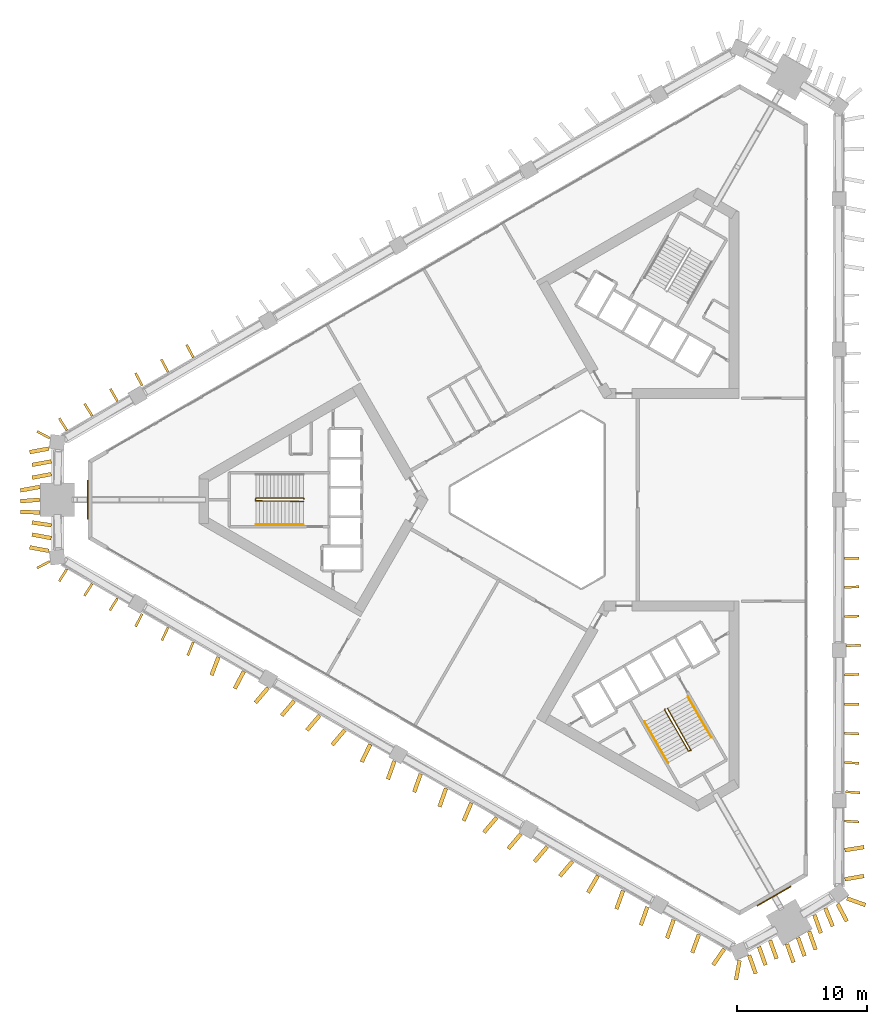
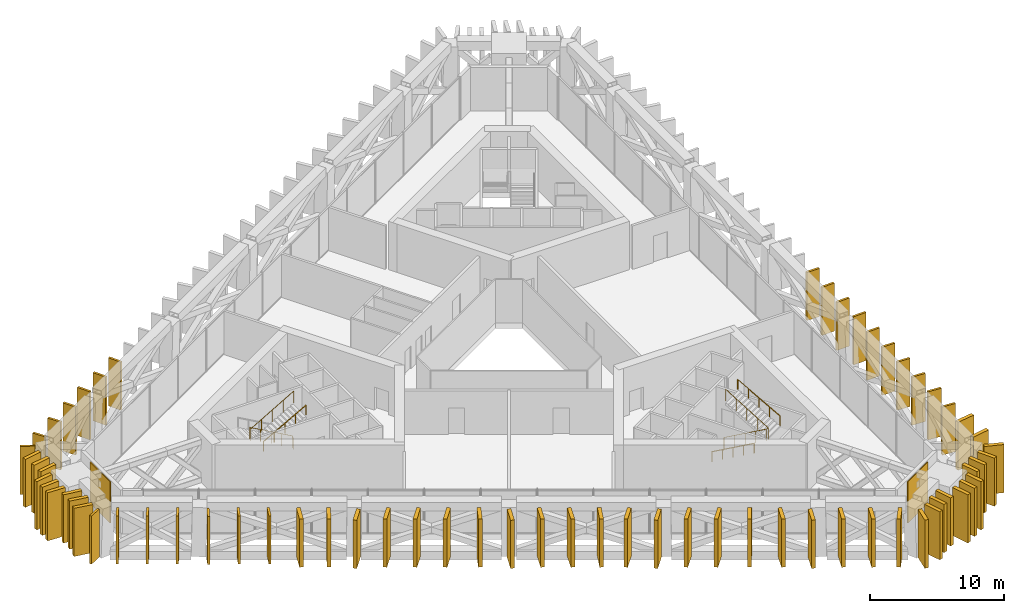
# One storey, part 16 of 17: 67 shading devices, 5 railings, 2 coverings.
"""IFC4 building model written with IfcOpenShell, lengths in metres."""

from ifc_helpers import new_model, si_unit, direction, frame, frame_2d, origin, origin_2d, place, context, subcontext, project, spatial, rectangle, circle, extrude, material, layer, layer_set, type_object, element, save


model = new_model("IFC4")

# Units and contexts
model_context = context("Model", 3, precision=1e-05, world=origin(), true_north=direction((0.0, 1.0)))
body_context = subcontext(model_context, "Body", "Model", "MODEL_VIEW")
ifc_project = project(units=[si_unit("LENGTHUNIT", "METRE"), si_unit("AREAUNIT", "SQUARE_METRE"), si_unit("VOLUMEUNIT", "CUBIC_METRE"), si_unit("PLANEANGLEUNIT", "RADIAN"), si_unit("MASSUNIT", "GRAM", prefix="KILO")], contexts=[model_context])

# Site, building, storey
site_placement = place(None, origin())
site = spatial("IfcSite", under=ifc_project, at=site_placement, CompositionType="ELEMENT")
building_placement = place(site_placement, origin())
building = spatial("IfcBuilding", under=site, at=building_placement, Name="Jabali Bay Hotel Tower and Convention Centre", CompositionType="ELEMENT")
storey_placement = place(building_placement, frame((0.0, 0.0, 102.39990234375)))
storey = spatial("IfcBuildingStorey", under=building, at=storey_placement, Name="L24", CompositionType="ELEMENT", Elevation=102.39990234375)

# Shading devices
ifc_material_1 = material(Name="Precast concrete C60", Category="concrete")
ifc_layer_1 = layer(ifc_material_1, 0.179931640625)
ifc_layer_set_1 = layer_set([ifc_layer_1], Name="Precast concrete C60")
shading_device_type_1 = type_object("IfcShadingDeviceType", Name="Precast fin 4380 x 1100", PredefinedType="USERDEFINED", material=ifc_layer_set_1)
for number, where, z_axis, x_axis, name in (
    (1, (97.9951171875, 55.324462890625, 0.010009765625), (0.0, 0.0, 1.0), (0.99723190741, -0.074354037165, 0.0), "Fin L24 002"),
    (2, (98.08447265625, 57.56787109375, 0.010009765625), (0.0, 0.0, 1.0), (0.997281062089, -0.073691812289, 0.0), "Fin L24 003"),
):
    element("IfcShadingDevice", number, at=place(storey_placement, frame(where, z_axis=z_axis, x_axis=x_axis)), inside=storey, type_object=shading_device_type_1, Name=name, ObjectType="FIN", PredefinedType="USERDEFINED", context=body_context, shape_type="SweptSolid", body=[
        extrude(rectangle(XDim=1.099853515625, YDim=0.179931640625, at=frame_2d((0.5498046875, 0.0))), origin(), (0.0, 0.0, 1.0), 4.380126953125),
    ])
for number, where, z_axis, x_axis, name in (
    (3, (97.992919921875, 59.81103515625, 0.010009765625), (0.0, 0.0, 1.0), (0.998718910442, -0.050601758129, 0.0), "Fin L24 004"),
    (4, (97.991943359375, 62.05419921875, 0.010009765625), (0.0, 0.0, 1.0), (0.999138449569, -0.041501308323, 0.0), "Fin L24 005"),
    (5, (97.98974609375, 64.29736328125, 0.010009765625), (0.0, 0.0, 1.0), (0.999875830133, -0.015758309421, 0.0), "Fin L24 006"),
):
    element("IfcShadingDevice", number, at=place(storey_placement, frame(where, z_axis=z_axis, x_axis=x_axis)), inside=storey, type_object=shading_device_type_1, Name=name, ObjectType="FIN", PredefinedType="USERDEFINED", context=body_context, shape_type="SweptSolid", body=[
        extrude(rectangle(XDim=1.10009765625, YDim=0.179931640625, at=frame_2d((0.550048828125, 0.0))), origin(), (0.0, 0.0, 1.0), 4.380126953125),
    ])
for number, where, z_axis, x_axis, name in (
    (6, (97.99169921875, 66.540771484375, 0.010009765625), (0.0, 0.0, 1.0), (0.9993044565, 0.03729079269, 0.0), "Fin L24 007"),
    (7, (98.1416015625, 68.783935546875, 0.010009765625), (0.0, 0.0, 1.0), (0.99932090172, 0.036847461059, 0.0), "Fin L24 008"),
    (8, (97.99169921875, 71.027099609375, 0.010009765625), (0.0, 0.0, 1.0), (0.999329050774, 0.036625787067, 0.0), "Fin L24 009"),
    (9, (97.99169921875, 73.270263671875, 0.010009765625), (0.0, 0.0, 1.0), (0.999329050774, 0.036625787067, 0.0), "Fin L24 010"),
):
    element("IfcShadingDevice", number, at=place(storey_placement, frame(where, z_axis=z_axis, x_axis=x_axis)), inside=storey, type_object=shading_device_type_1, Name=name, ObjectType="FIN", PredefinedType="USERDEFINED", context=body_context, shape_type="SweptSolid", body=[
        extrude(rectangle(XDim=1.099853515625, YDim=0.179931640625, at=frame_2d((0.5498046875, 0.0))), origin(), (0.0, 0.0, 1.0), 4.380126953125),
    ])
for number, where, z_axis, x_axis, name in (
    (10, (97.989013671875, 75.513671875, 0.010009765625), (0.0, 0.0, 1.0), (0.999966289196, -0.008210997048, 0.0), "Fin L24 011"),
    (11, (47.962646484375, 90.938720703125, 0.010009765625), (0.0, 0.0, 1.0), (-0.46540795247, 0.885096287292, 0.0), "Fin L24 057"),
):
    element("IfcShadingDevice", number, at=place(storey_placement, frame(where, z_axis=z_axis, x_axis=x_axis)), inside=storey, type_object=shading_device_type_1, Name=name, ObjectType="FIN", PredefinedType="USERDEFINED", context=body_context, shape_type="SweptSolid", body=[
        extrude(rectangle(XDim=1.10009765625, YDim=0.179931640625, at=frame_2d((0.550048828125, 0.0))), origin(), (0.0, 0.0, 1.0), 4.380126953125),
    ])
shading_device_1_placement = place(storey_placement, frame((46.02001953125, 89.81689453125, 0.010009765625), z_axis=(0.0, 0.0, 1.0), x_axis=(-0.466990067403, 0.884262561091, 0.0)))
element("IfcShadingDevice", 12, at=shading_device_1_placement, inside=storey, type_object=shading_device_type_1, Name="Fin L24 058", ObjectType="FIN", PredefinedType="USERDEFINED", context=body_context, shape_type="SweptSolid", body=[
    extrude(rectangle(XDim=1.099853515625, YDim=0.179931640625, at=frame_2d((0.5498046875, 0.0))), origin(), (0.0, 0.0, 1.0), 4.380126953125),
])
shading_device_2_placement = place(storey_placement, frame((44.035888671875, 88.76708984375, 0.010009765625), z_axis=(0.0, 0.0, 1.0), x_axis=(-0.467602188697, 0.883939021158, 0.0)))
element("IfcShadingDevice", 13, at=shading_device_2_placement, inside=storey, type_object=shading_device_type_1, Name="Fin L24 059", ObjectType="FIN", PredefinedType="USERDEFINED", context=body_context, shape_type="SweptSolid", body=[
    extrude(rectangle(XDim=1.10009765625, YDim=0.179931640625, at=frame_2d((0.550048828125, 0.0))), origin(), (0.0, 0.0, 1.0), 4.380126953125),
])
shading_device_3_placement = place(storey_placement, frame((42.13623046875, 87.571044921875, 0.010009765625), z_axis=(0.0, 0.0, 1.0), x_axis=(-0.497882976925, 0.867244222401, 0.0)))
element("IfcShadingDevice", 14, at=shading_device_3_placement, inside=storey, type_object=shading_device_type_1, Name="Fin L24 060", ObjectType="FIN", PredefinedType="USERDEFINED", context=body_context, shape_type="SweptSolid", body=[
    extrude(rectangle(XDim=1.099853515625, YDim=0.179931640625, at=frame_2d((0.5498046875, 0.0))), origin(), (0.0, 0.0, 1.0), 4.380126953125),
])
for number, where, z_axis, x_axis, name in (
    (15, (40.19189453125, 86.451904296875, 0.010009765625), (0.0, 0.0, 1.0), (-0.531334935618, 0.847161841794, 0.0), "Fin L24 061"),
    (16, (38.249267578125, 85.330322265625, 0.010009765625), (0.0, 0.0, 1.0), (-0.531334935618, 0.847161841794, 0.0), "Fin L24 062"),
):
    element("IfcShadingDevice", number, at=place(storey_placement, frame(where, z_axis=z_axis, x_axis=x_axis)), inside=storey, type_object=shading_device_type_1, Name=name, ObjectType="FIN", PredefinedType="USERDEFINED", context=body_context, shape_type="SweptSolid", body=[
        extrude(rectangle(XDim=1.10009765625, YDim=0.179931640625, at=frame_2d((0.550048828125, 0.0))), origin(), (0.0, 0.0, 1.0), 4.380126953125),
    ])
shading_device_4_placement = place(storey_placement, frame((38.249267578125, 74.66943359375, 0.010009765625), z_axis=(0.0, 0.0, 1.0), x_axis=(-0.532271549044, -0.846573681423, 0.0)))
element("IfcShadingDevice", 17, at=shading_device_4_placement, inside=storey, type_object=shading_device_type_1, Name="Fin L24 072", ObjectType="FIN", PredefinedType="USERDEFINED", context=body_context, shape_type="SweptSolid", body=[
    extrude(rectangle(XDim=1.099853515625, YDim=0.179931640625, at=frame_2d((0.5498046875, 0.0))), origin(), (0.0, 0.0, 1.0), 4.380126953125),
])
shading_device_5_placement = place(storey_placement, frame((40.19189453125, 73.5478515625, 0.010009765625), z_axis=(0.0, 0.0, 1.0), x_axis=(-0.533525313693, -0.845784097539, 0.0)))
element("IfcShadingDevice", 18, at=shading_device_5_placement, inside=storey, type_object=shading_device_type_1, Name="Fin L24 073", ObjectType="FIN", PredefinedType="USERDEFINED", context=body_context, shape_type="SweptSolid", body=[
    extrude(rectangle(XDim=1.10009765625, YDim=0.179931640625, at=frame_2d((0.550048828125, 0.0))), origin(), (0.0, 0.0, 1.0), 4.380126953125),
])
shading_device_6_placement = place(storey_placement, frame((42.134765625, 72.4267578125, 0.010009765625), z_axis=(0.0, 0.0, 1.0), x_axis=(-0.528042290071, -0.849218075583, 0.0)))
element("IfcShadingDevice", 19, at=shading_device_6_placement, inside=storey, type_object=shading_device_type_1, Name="Fin L24 074", ObjectType="FIN", PredefinedType="USERDEFINED", context=body_context, shape_type="SweptSolid", body=[
    extrude(rectangle(XDim=1.099853515625, YDim=0.179931640625, at=frame_2d((0.5498046875, 0.0))), origin(), (0.0, 0.0, 1.0), 4.380126953125),
])
shading_device_7_placement = place(storey_placement, frame((44.0361328125, 71.2333984375, 0.010009765625), z_axis=(0.0, 0.0, 1.0), x_axis=(-0.462065346177, -0.886845880558, 0.0)))
element("IfcShadingDevice", 20, at=shading_device_7_placement, inside=storey, type_object=shading_device_type_1, Name="Fin L24 075", ObjectType="FIN", PredefinedType="USERDEFINED", context=body_context, shape_type="SweptSolid", body=[
    extrude(rectangle(XDim=1.10009765625, YDim=0.179931640625, at=frame_2d((0.550048828125, 0.0))), origin(), (0.0, 0.0, 1.0), 4.380126953125),
])
shading_device_8_placement = place(storey_placement, frame((46.017822265625, 70.179443359375, 0.010009765625), z_axis=(0.0, 0.0, 1.0), x_axis=(-0.426224622072, -0.904617361949, 0.0)))
element("IfcShadingDevice", 21, at=shading_device_8_placement, inside=storey, type_object=shading_device_type_1, Name="Fin L24 076", ObjectType="FIN", PredefinedType="USERDEFINED", context=body_context, shape_type="SweptSolid", body=[
    extrude(rectangle(XDim=1.099853515625, YDim=0.179931640625, at=frame_2d((0.5498046875, 0.0))), origin(), (0.0, 0.0, 1.0), 4.380126953125),
])
for number, where, z_axis, x_axis, name in (
    (22, (47.958740234375, 69.054443359375, 0.010009765625), (0.0, 0.0, 1.0), (-0.385922895703, -0.922531039354, 0.0), "Fin L24 077"),
    (23, (36.9306640625, 84.7373046875, 0.010009765625), (0.0, 0.0, 1.0), (-0.883798713604, 0.467867325032, 0.0), "Fin L24 111"),
    (24, (36.9306640625, 75.262939453125, 0.010009765625), (0.0, 0.0, 1.0), (-0.883939021158, -0.467602188697, 0.0), "Fin L24 112"),
):
    element("IfcShadingDevice", number, at=place(storey_placement, frame(where, z_axis=z_axis, x_axis=x_axis)), inside=storey, type_object=shading_device_type_1, Name=name, ObjectType="FIN", PredefinedType="USERDEFINED", context=body_context, shape_type="SweptSolid", body=[
        extrude(rectangle(XDim=1.10009765625, YDim=0.179931640625, at=frame_2d((0.550048828125, 0.0))), origin(), (0.0, 0.0, 1.0), 4.380126953125),
    ])
ifc_layer_2 = layer(ifc_material_1, 0.300048828125)
ifc_layer_set_2 = layer_set([ifc_layer_2], Name="Precast concrete C60")
shading_device_type_2 = type_object("IfcShadingDeviceType", Name="Precast fin 4380 x 1500", PredefinedType="USERDEFINED", material=ifc_layer_set_2)
for number, where, z_axis, x_axis, name in (
    (25, (98.01416015625, 50.838134765625, 0.010009765625), (0.0, 0.0, 1.0), (0.984977914297, 0.172680364684, 0.0), "Fin L24 000"),
    (26, (98.01123046875, 53.081298828125, 0.010009765625), (0.0, 0.0, 1.0), (0.988203647012, 0.153145525665, 0.0), "Fin L24 001"),
    (27, (36.87109375, 83.92919921875, 0.010009765625), (0.0, 0.0, 1.0), (-0.98351646372, -0.180818598576, 0.0), "Fin L24 063"),
    (28, (37.052490234375, 82.94677734375, 0.010009765625), (0.0, 0.0, 1.0), (-0.983545395653, -0.180661159883, 0.0), "Fin L24 064"),
    (29, (37.052490234375, 81.964599609375, 0.010009765625), (0.0, 0.0, 1.0), (-0.98351646372, -0.180818598576, 0.0), "Fin L24 065"),
    (30, (36.15380859375, 80.982177734375, 0.010009765625), (0.0, 0.0, 1.0), (-0.984077582115, -0.177739450822, 0.0), "Fin L24 066"),
    (31, (36.1689453125, 80.0, 0.010009765625), (0.0, 0.0, 1.0), (-0.99708218551, -0.076335544402, 0.0), "Fin L24 067"),
    (32, (36.175048828125, 79.017822265625, 0.010009765625), (0.0, 0.0, 1.0), (-0.999381787347, 0.035157404897, 0.0), "Fin L24 068"),
    (33, (37.0576171875, 78.035400390625, 0.010009765625), (0.0, 0.0, 1.0), (-0.989308080173, 0.145840743638, 0.0), "Fin L24 069"),
    (34, (37.052490234375, 77.05322265625, 0.010009765625), (0.0, 0.0, 1.0), (-0.983545395653, 0.180661159883, 0.0), "Fin L24 070"),
    (35, (36.87109375, 76.07080078125, 0.010009765625), (0.0, 0.0, 1.0), (-0.98351646372, 0.180818598576, 0.0), "Fin L24 071"),
    (36, (49.89501953125, 67.921875, 0.010009765625), (0.0, 0.0, 1.0), (-0.354011385363, -0.93524111278, 0.0), "Fin L24 078"),
    (37, (51.8466796875, 66.816162109375, 0.010009765625), (0.0, 0.0, 1.0), (-0.465478095848, -0.885059400428, 0.0), "Fin L24 079"),
    (38, (53.7041015625, 65.54638671875, 0.010009765625), (0.0, 0.0, 1.0), (-0.647138022454, -0.762372861462, 0.0), "Fin L24 080"),
    (39, (55.7216796875, 64.554443359375, 0.010009765625), (0.0, 0.0, 1.0), (-0.648106579551, -0.761549644831, 0.0), "Fin L24 081"),
    (40, (57.664306640625, 63.432861328125, 0.010009765625), (0.0, 0.0, 1.0), (-0.648281291341, -0.761400924151, 0.0), "Fin L24 082"),
    (41, (59.60693359375, 62.311279296875, 0.010009765625), (0.0, 0.0, 1.0), (-0.648281291341, -0.761400924151, 0.0), "Fin L24 083"),
    (42, (61.5576171875, 61.20361328125, 0.010009765625), (0.0, 0.0, 1.0), (-0.434735410784, -0.900558228329, 0.0), "Fin L24 084"),
):
    element("IfcShadingDevice", number, at=place(storey_placement, frame(where, z_axis=z_axis, x_axis=x_axis)), inside=storey, type_object=shading_device_type_2, Name=name, ObjectType="FIN", PredefinedType="USERDEFINED", context=body_context, shape_type="SweptSolid", body=[
        extrude(rectangle(XDim=1.5, YDim=0.300048828125, at=frame_2d((0.75, 0.0))), origin(), (0.0, 0.0, 1.0), 4.380126953125),
    ])
shading_device_9_placement = place(storey_placement, frame((63.417236328125, 59.938232421875, 0.010009765625), z_axis=(0.0, 0.0, 1.0), x_axis=(-0.335160595484, -0.942161013434, 0.0)))
element("IfcShadingDevice", 43, at=shading_device_9_placement, inside=storey, type_object=shading_device_type_2, Name="Fin L24 085", ObjectType="FIN", PredefinedType="USERDEFINED", context=body_context, shape_type="SweptSolid", body=[
    extrude(rectangle(XDim=1.499755859375, YDim=0.300048828125, at=frame_2d((0.75, 0.0))), origin(), (0.0, 0.0, 1.0), 4.380126953125),
])
for number, where, z_axis, x_axis, name in (
    (44, (65.43505859375, 58.946533203125, 0.010009765625), (0.0, 0.0, 1.0), (-0.335253666146, -0.94212789967, 0.0), "Fin L24 086"),
    (45, (67.377685546875, 57.824951171875, 0.010009765625), (0.0, 0.0, 1.0), (-0.335253666146, -0.94212789967, 0.0), "Fin L24 087"),
):
    element("IfcShadingDevice", number, at=place(storey_placement, frame(where, z_axis=z_axis, x_axis=x_axis)), inside=storey, type_object=shading_device_type_2, Name=name, ObjectType="FIN", PredefinedType="USERDEFINED", context=body_context, shape_type="SweptSolid", body=[
        extrude(rectangle(XDim=1.500244140625, YDim=0.300048828125, at=frame_2d((0.75, 0.0))), origin(), (0.0, 0.0, 1.0), 4.380126953125),
    ])
shading_device_10_placement = place(storey_placement, frame((69.3251953125, 56.71142578125, 0.010009765625), z_axis=(0.0, 0.0, 1.0), x_axis=(-0.395038740138, -0.918664462026, 0.0)))
element("IfcShadingDevice", 46, at=shading_device_10_placement, inside=storey, type_object=shading_device_type_2, Name="Fin L24 088", ObjectType="FIN", PredefinedType="USERDEFINED", context=body_context, shape_type="SweptSolid", body=[
    extrude(rectangle(XDim=1.5, YDim=0.300048828125, at=frame_2d((0.75, 0.0))), origin(), (0.0, 0.0, 1.0), 4.380126953125),
])
shading_device_11_placement = place(storey_placement, frame((71.26318359375, 55.581787109375, 0.010009765625), z_axis=(0.0, 0.0, 1.0), x_axis=(-0.647043408757, -0.762453163929, 0.0)))
element("IfcShadingDevice", 47, at=shading_device_11_placement, inside=storey, type_object=shading_device_type_2, Name="Fin L24 089", ObjectType="FIN", PredefinedType="USERDEFINED", context=body_context, shape_type="SweptSolid", body=[
    extrude(rectangle(XDim=1.499755859375, YDim=0.300048828125, at=frame_2d((0.75, 0.0))), origin(), (0.0, 0.0, 1.0), 4.380126953125),
])
for number, where, z_axis, x_axis, name in (
    (48, (73.130859375, 54.330078125, 0.010009765625), (0.0, 0.0, 1.0), (-0.648455975435, -0.76125215791, 0.0), "Fin L24 090"),
    (49, (75.1484375, 53.33837890625, 0.010009765625), (0.0, 0.0, 1.0), (-0.648281291341, -0.761400924151, 0.0), "Fin L24 091"),
    (50, (77.091064453125, 52.216796875, 0.010009765625), (0.0, 0.0, 1.0), (-0.648281291341, -0.761400924151, 0.0), "Fin L24 092"),
    (51, (79.046630859375, 51.11767578125, 0.010009765625), (0.0, 0.0, 1.0), (-0.506671552998, -0.862139163582, 0.0), "Fin L24 093"),
):
    element("IfcShadingDevice", number, at=place(storey_placement, frame(where, z_axis=z_axis, x_axis=x_axis)), inside=storey, type_object=shading_device_type_2, Name=name, ObjectType="FIN", PredefinedType="USERDEFINED", context=body_context, shape_type="SweptSolid", body=[
        extrude(rectangle(XDim=1.5, YDim=0.300048828125, at=frame_2d((0.75, 0.0))), origin(), (0.0, 0.0, 1.0), 4.380126953125),
    ])
shading_device_12_placement = place(storey_placement, frame((80.9765625, 49.9736328125, 0.010009765625), z_axis=(0.0, 0.0, 1.0), x_axis=(-0.335253666146, -0.94212789967, 0.0)))
element("IfcShadingDevice", 52, at=shading_device_12_placement, inside=storey, type_object=shading_device_type_2, Name="Fin L24 094", ObjectType="FIN", PredefinedType="USERDEFINED", context=body_context, shape_type="SweptSolid", body=[
    extrude(rectangle(XDim=1.500244140625, YDim=0.300048828125, at=frame_2d((0.75, 0.0))), origin(), (0.0, 0.0, 1.0), 4.380126953125),
])
shading_device_13_placement = place(storey_placement, frame((82.84716796875, 48.72705078125, 0.010009765625), z_axis=(0.0, 0.0, 1.0), x_axis=(-0.335305076677, -0.942109603791, 0.0)))
element("IfcShadingDevice", 53, at=shading_device_13_placement, inside=storey, type_object=shading_device_type_2, Name="Fin L24 095", ObjectType="FIN", PredefinedType="USERDEFINED", context=body_context, shape_type="SweptSolid", body=[
    extrude(rectangle(XDim=1.5, YDim=0.300048828125, at=frame_2d((0.75, 0.0))), origin(), (0.0, 0.0, 1.0), 4.380126953125),
])
shading_device_14_placement = place(storey_placement, frame((84.86181640625, 47.730224609375, 0.010009765625), z_axis=(0.0, 0.0, 1.0), x_axis=(-0.335160595484, -0.942161013434, 0.0)))
element("IfcShadingDevice", 54, at=shading_device_14_placement, inside=storey, type_object=shading_device_type_2, Name="Fin L24 096", ObjectType="FIN", PredefinedType="USERDEFINED", context=body_context, shape_type="SweptSolid", body=[
    extrude(rectangle(XDim=1.499755859375, YDim=0.300048828125, at=frame_2d((0.75, 0.0))), origin(), (0.0, 0.0, 1.0), 4.380126953125),
])
for number, where, z_axis, x_axis, name in (
    (55, (86.804931640625, 46.609619140625, 0.010009765625), (0.0, 0.0, 1.0), (-0.341651578309, -0.939826685639, 0.0), "Fin L24 097"),
    (56, (88.7548828125, 45.50048828125, 0.010009765625), (0.0, 0.0, 1.0), (-0.566065936175, -0.824359967431, 0.0), "Fin L24 098"),
):
    element("IfcShadingDevice", number, at=place(storey_placement, frame(where, z_axis=z_axis, x_axis=x_axis)), inside=storey, type_object=shading_device_type_2, Name=name, ObjectType="FIN", PredefinedType="USERDEFINED", context=body_context, shape_type="SweptSolid", body=[
        extrude(rectangle(XDim=1.5, YDim=0.300048828125, at=frame_2d((0.75, 0.0))), origin(), (0.0, 0.0, 1.0), 4.380126953125),
    ])
shading_device_15_placement = place(storey_placement, frame((90.66796875, 45.00390625, 0.010009765625), z_axis=(0.0, 0.0, 1.0), x_axis=(0.335160595484, -0.942161013434, 0.0)))
element("IfcShadingDevice", 57, at=shading_device_15_placement, inside=storey, type_object=shading_device_type_2, Name="Fin L24 099", ObjectType="FIN", PredefinedType="USERDEFINED", context=body_context, shape_type="SweptSolid", body=[
    extrude(rectangle(XDim=1.499755859375, YDim=0.300048828125, at=frame_2d((0.75, 0.0))), origin(), (0.0, 0.0, 1.0), 4.380126953125),
])
shading_device_16_placement = place(storey_placement, frame((91.421630859375, 45.6630859375, 0.010009765625), z_axis=(0.0, 0.0, 1.0), x_axis=(0.335253666146, -0.94212789967, 0.0)))
element("IfcShadingDevice", 58, at=shading_device_16_placement, inside=storey, type_object=shading_device_type_2, Name="Fin L24 100", ObjectType="FIN", PredefinedType="USERDEFINED", context=body_context, shape_type="SweptSolid", body=[
    extrude(rectangle(XDim=1.500244140625, YDim=0.300048828125, at=frame_2d((0.75, 0.0))), origin(), (0.0, 0.0, 1.0), 4.380126953125),
])
for number, where, z_axis, x_axis, name in (
    (59, (92.2724609375, 46.154296875, 0.010009765625), (0.0, 0.0, 1.0), (0.335109201498, -0.942179294546, 0.0), "Fin L24 101"),
    (60, (93.57275390625, 45.86669921875, 0.010009765625), (0.0, 0.0, 1.0), (0.335109201498, -0.942179294546, 0.0), "Fin L24 102"),
    (61, (94.42333984375, 46.357666015625, 0.010009765625), (0.0, 0.0, 1.0), (0.335305076677, -0.942109603791, 0.0), "Fin L24 103"),
):
    element("IfcShadingDevice", number, at=place(storey_placement, frame(where, z_axis=z_axis, x_axis=x_axis)), inside=storey, type_object=shading_device_type_2, Name=name, ObjectType="FIN", PredefinedType="USERDEFINED", context=body_context, shape_type="SweptSolid", body=[
        extrude(rectangle(XDim=1.5, YDim=0.300048828125, at=frame_2d((0.75, 0.0))), origin(), (0.0, 0.0, 1.0), 4.380126953125),
    ])
shading_device_17_placement = place(storey_placement, frame((95.274169921875, 46.848876953125, 0.010009765625), z_axis=(0.0, 0.0, 1.0), x_axis=(0.335160595484, -0.942161013434, 0.0)))
element("IfcShadingDevice", 62, at=shading_device_17_placement, inside=storey, type_object=shading_device_type_2, Name="Fin L24 104", ObjectType="FIN", PredefinedType="USERDEFINED", context=body_context, shape_type="SweptSolid", body=[
    extrude(rectangle(XDim=1.499755859375, YDim=0.300048828125, at=frame_2d((0.75, 0.0))), origin(), (0.0, 0.0, 1.0), 4.380126953125),
])
for number, where, z_axis, x_axis, name in (
    (63, (95.675048828125, 48.11865234375, 0.010009765625), (0.0, 0.0, 1.0), (0.335305076677, -0.942109603791, 0.0), "Fin L24 105"),
    (64, (96.5224609375, 48.61572265625, 0.010009765625), (0.0, 0.0, 1.0), (0.378284225569, -0.925689496908, 0.0), "Fin L24 106"),
    (65, (97.4677734375, 48.94287109375, 0.010009765625), (0.0, 0.0, 1.0), (0.46451170122, -0.885566981899, 0.0), "Fin L24 107"),
):
    element("IfcShadingDevice", number, at=place(storey_placement, frame(where, z_axis=z_axis, x_axis=x_axis)), inside=storey, type_object=shading_device_type_2, Name=name, ObjectType="FIN", PredefinedType="USERDEFINED", context=body_context, shape_type="SweptSolid", body=[
        extrude(rectangle(XDim=1.5, YDim=0.300048828125, at=frame_2d((0.75, 0.0))), origin(), (0.0, 0.0, 1.0), 4.380126953125),
    ])
for number, where, z_axis, x_axis, name in (
    (66, (98.1845703125, 49.372314453125, 0.010009765625), (0.0, 0.0, 1.0), (0.940702588783, -0.339232426895, 0.0), "Fin L24 108"),
    (67, (89.93212890625, 44.607177734375, 0.010009765625), (0.0, 0.0, 1.0), (-0.180847546813, -0.983511141173, 0.0), "Fin L24 113"),
):
    element("IfcShadingDevice", number, at=place(storey_placement, frame(where, z_axis=z_axis, x_axis=x_axis)), inside=storey, type_object=shading_device_type_2, Name=name, ObjectType="FIN", PredefinedType="USERDEFINED", context=body_context, shape_type="SweptSolid", body=[
        extrude(rectangle(XDim=1.499755859375, YDim=0.300048828125, at=frame_2d((0.75, 0.0))), origin(), (0.0, 0.0, 1.0), 4.380126953125),
    ])

# Coverings
ifc_material_2 = material(Name="Precast concrete C40/50", Category="concrete")
ifc_layer_3 = layer(ifc_material_2, 0.080078125)
ifc_layer_set_3 = layer_set([ifc_layer_3], Name="Precast concrete C40/50")
covering_type = type_object("IfcCoveringType", Name="Relief panel 3000 x 3750", PredefinedType="CLADDING", material=ifc_layer_set_3)
for number, where, z_axis, x_axis, name in (
    (68, (39.839599609375, 80.0, 0.10009765625), (0.0, 0.0, 1.0), (0.0, 1.0, 0.0), "Relief panel L24"),
    (69, (92.580322265625, 49.55029296875, 0.10009765625), (0.0, 0.0, 1.0), (-0.866025463414, -0.499999896719, 0.0), "Relief panel L24"),
):
    element("IfcCovering", number, at=place(storey_placement, frame(where, z_axis=z_axis, x_axis=x_axis)), inside=storey, type_object=covering_type, Name=name, PredefinedType="CLADDING", context=body_context, shape_type="SweptSolid", body=[
        extrude(rectangle(XDim=3.0, YDim=0.080078125, at=origin_2d()), origin(), (0.0, 0.0, 1.0), 3.75),
    ])

# Railings
ifc_material_3 = material(Name="Steel Q355B", Category="steel")
railing_type_1 = type_object("IfcRailingType", Name="Stair guard 1100", PredefinedType="GUARDRAIL", material=ifc_material_3)
railing_1_placement = place(storey_placement, frame((56.469970703125, 80.074951171875, 0.0)))
element("IfcRailing", 70, at=railing_1_placement, inside=storey, type_object=railing_type_1, Name="L24 ST1 stair guard 1", PredefinedType="GUARDRAIL", context=body_context, shape_type="SweptSolid", body=[
    extrude(circle(Radius=0.02392578125, at=origin_2d()), frame((0.0, 0.0, 1.076171875), z_axis=(-0.290266377826, 0.290266377826, 0.911861206439), x_axis=(-0.707106781187, -0.707106781187, 0.0)), (0.0, 0.0, 1.0), 0.17236328125),
    extrude(circle(Radius=0.02392578125, at=origin_2d()), frame((-0.050048828125, 0.050048828125, 1.2333984375), z_axis=(-0.872032840091, 0.0, 0.489447367756), x_axis=(0.0, -1.0, 0.0)), (0.0, 0.0, 1.0), 4.174072265625),
    extrude(circle(Radius=0.02392578125, at=origin_2d()), frame((-3.68994140625, 0.050048828125, 3.2763671875), z_axis=(-0.242814311512, -0.970072785993, 0.0), x_axis=(0.970072785993, -0.242814311512, 0.0)), (0.0, 0.0, 1.0), 0.2060546875),
    extrude(circle(Radius=0.02392578125, at=origin_2d()), frame((-3.739990234375, -0.14990234375, 3.2763671875), z_axis=(0.858870423873, -0.011649360652, 0.512060433341), x_axis=(0.013562335953, 0.999908027292, 0.0)), (0.0, 0.0, 1.0), 4.29638671875),
    extrude(circle(Radius=0.02099609375, at=origin_2d()), origin(), (0.0, 0.0, 1.0), 1.052001953125),
    extrude(circle(Radius=0.02099609375, at=origin_2d()), frame((-0.050048828125, 0.050048828125, 0.1572265625)), (0.0, 0.0, 1.0), 1.052001953125),
    extrude(circle(Radius=0.02099609375, at=origin_2d()), frame((-0.9599609375, 0.050048828125, 0.66796875)), (0.0, 0.0, 1.0), 1.052001953125),
    extrude(circle(Radius=0.02099609375, at=origin_2d()), frame((-1.8701171875, 0.050048828125, 1.1787109375)), (0.0, 0.0, 1.0), 1.052001953125),
    extrude(circle(Radius=0.02099609375, at=origin_2d()), frame((-2.780029296875, 0.050048828125, 1.689453125)), (0.0, 0.0, 1.0), 1.052001953125),
    extrude(circle(Radius=0.02099609375, at=origin_2d()), frame((-3.68994140625, 0.050048828125, 2.2001953125)), (0.0, 0.0, 1.0), 1.052001953125),
    extrude(circle(Radius=0.02099609375, at=origin_2d()), frame((-3.739990234375, -0.14990234375, 2.2001953125)), (0.0, 0.0, 1.0), 1.052001953125),
    extrude(circle(Radius=0.02099609375, at=origin_2d()), frame((-2.8173828125, -0.162353515625, 2.750244140625)), (0.0, 0.0, 1.0), 1.052001953125),
    extrude(circle(Radius=0.02099609375, at=origin_2d()), frame((-1.89501953125, -0.1748046875, 3.30029296875)), (0.0, 0.0, 1.0), 1.052001953125),
    extrude(circle(Radius=0.02099609375, at=origin_2d()), frame((-0.97265625, -0.1875, 3.85009765625)), (0.0, 0.0, 1.0), 1.052001953125),
    extrude(circle(Radius=0.02099609375, at=origin_2d()), frame((-0.050048828125, -0.199951171875, 4.400146484375)), (0.0, 0.0, 1.0), 1.052001953125),
])
railing_2_placement = place(storey_placement, frame((84.199951171875, 63.9150390625, 0.0)))
element("IfcRailing", 71, at=railing_2_placement, inside=storey, type_object=railing_type_1, Name="L24 ST3 stair guard 1", PredefinedType="GUARDRAIL", context=body_context, shape_type="SweptSolid", body=[
    extrude(circle(Radius=0.02392578125, at=origin_2d()), frame((0.0, 0.0, 1.076171875), z_axis=(-0.106197677715, -0.396471330136, 0.911884059312), x_axis=(0.965948051503, -0.258736085224, 0.0)), (0.0, 0.0, 1.0), 0.17236328125),
    extrude(circle(Radius=0.02392578125, at=origin_2d()), frame((-0.018310546875, -0.068359375, 1.2333984375), z_axis=(0.436031875999, -0.75520369992, 0.489431889787), x_axis=(0.866018046521, 0.500012742938, 0.0)), (0.0, 0.0, 1.0), 4.174072265625),
    extrude(circle(Radius=0.02392578125, at=origin_2d()), frame((1.8017578125, -3.220703125, 3.2763671875), z_axis=(0.96121063429, 0.275815366736, 0.0), x_axis=(-0.275815366736, 0.96121063429, 0.0)), (0.0, 0.0, 1.0), 0.206298828125),
    extrude(circle(Radius=0.02392578125, at=origin_2d()), frame((2.0, -3.163818359375, 3.2763671875), z_axis=(-0.419382495405, 0.749603590364, 0.512067163428), x_axis=(-0.872702246529, -0.488252792008, 0.0)), (0.0, 0.0, 1.0), 4.296142578125),
    extrude(circle(Radius=0.02099609375, at=origin_2d()), origin(), (0.0, 0.0, 1.0), 1.052001953125),
    extrude(circle(Radius=0.02099609375, at=origin_2d()), frame((-0.018310546875, -0.068359375, 0.1572265625)), (0.0, 0.0, 1.0), 1.052001953125),
    extrude(circle(Radius=0.02099609375, at=origin_2d()), frame((0.436767578125, -0.8564453125, 0.66796875)), (0.0, 0.0, 1.0), 1.052001953125),
    extrude(circle(Radius=0.02099609375, at=origin_2d()), frame((0.8916015625, -1.64453125, 1.1787109375)), (0.0, 0.0, 1.0), 1.052001953125),
    extrude(circle(Radius=0.02099609375, at=origin_2d()), frame((1.3466796875, -2.4326171875, 1.689453125)), (0.0, 0.0, 1.0), 1.052001953125),
    extrude(circle(Radius=0.02099609375, at=origin_2d()), frame((1.8017578125, -3.220703125, 2.2001953125)), (0.0, 0.0, 1.0), 1.052001953125),
    extrude(circle(Radius=0.02099609375, at=origin_2d()), frame((2.0, -3.163818359375, 2.2001953125)), (0.0, 0.0, 1.0), 1.052001953125),
    extrude(circle(Radius=0.02099609375, at=origin_2d()), frame((1.549560546875, -2.358642578125, 2.750244140625)), (0.0, 0.0, 1.0), 1.052001953125),
    extrude(circle(Radius=0.02099609375, at=origin_2d()), frame((1.09912109375, -1.5537109375, 3.30029296875)), (0.0, 0.0, 1.0), 1.052001953125),
    extrude(circle(Radius=0.02099609375, at=origin_2d()), frame((0.648681640625, -0.74853515625, 3.85009765625)), (0.0, 0.0, 1.0), 1.052001953125),
    extrude(circle(Radius=0.02099609375, at=origin_2d()), frame((0.1982421875, 0.056640625, 4.400146484375)), (0.0, 0.0, 1.0), 1.052001953125),
])
railing_type_2 = type_object("IfcRailingType", Name="Stair handrail 900", PredefinedType="HANDRAIL", material=ifc_material_3)
railing_3_placement = place(storey_placement, frame((52.780029296875, 78.074951171875, 2.357177734375)))
element("IfcRailing", 72, at=railing_3_placement, inside=storey, type_object=railing_type_2, Name="L24 ST1 stair handrail 2", PredefinedType="HANDRAIL", context=body_context, shape_type="SweptSolid", body=[
    extrude(circle(Radius=0.02392578125, at=origin_2d()), frame((0.0, 0.0, 0.8759765625), z_axis=(0.872032840091, 0.0, 0.489447367756), x_axis=(0.0, 1.0, 0.0)), (0.0, 0.0, 1.0), 4.174072265625),
    extrude(circle(Radius=0.02099609375, at=origin_2d()), origin(), (0.0, 0.0, 1.0), 0.851806640625),
    extrude(circle(Radius=0.02099609375, at=origin_2d()), frame((0.909912109375, 0.0, 0.5107421875)), (0.0, 0.0, 1.0), 0.851806640625),
    extrude(circle(Radius=0.02099609375, at=origin_2d()), frame((1.81982421875, 0.0, 1.021484375)), (0.0, 0.0, 1.0), 0.851806640625),
    extrude(circle(Radius=0.02099609375, at=origin_2d()), frame((2.72998046875, 0.0, 1.5322265625)), (0.0, 0.0, 1.0), 0.851806640625),
    extrude(circle(Radius=0.02099609375, at=origin_2d()), frame((3.639892578125, 0.0, 2.04296875)), (0.0, 0.0, 1.0), 0.851806640625),
])
railing_4_placement = place(storey_placement, frame((82.622802734375, 62.94677734375, 0.1572265625)))
element("IfcRailing", 73, at=railing_4_placement, inside=storey, type_object=railing_type_2, Name="L24 ST3 stair handrail 1", PredefinedType="HANDRAIL", context=body_context, shape_type="SweptSolid", body=[
    extrude(circle(Radius=0.02392578125, at=origin_2d()), frame((0.0, 0.0, 0.8759765625), z_axis=(0.436031875999, -0.75520369992, 0.489431889787), x_axis=(0.866018046521, 0.500012742938, 0.0)), (0.0, 0.0, 1.0), 4.174072265625),
    extrude(circle(Radius=0.02099609375, at=origin_2d()), origin(), (0.0, 0.0, 1.0), 0.851806640625),
    extrude(circle(Radius=0.02099609375, at=origin_2d()), frame((0.455078125, -0.7880859375, 0.5107421875)), (0.0, 0.0, 1.0), 0.851806640625),
    extrude(circle(Radius=0.02099609375, at=origin_2d()), frame((0.91015625, -1.576171875, 1.021484375)), (0.0, 0.0, 1.0), 0.851806640625),
    extrude(circle(Radius=0.02099609375, at=origin_2d()), frame((1.364990234375, -2.3642578125, 1.5322265625)), (0.0, 0.0, 1.0), 0.851806640625),
    extrude(circle(Radius=0.02099609375, at=origin_2d()), frame((1.820068359375, -3.15234375, 2.04296875)), (0.0, 0.0, 1.0), 0.851806640625),
])
railing_5_placement = place(storey_placement, frame((87.777099609375, 61.719482421875, 2.357177734375)))
element("IfcRailing", 74, at=railing_5_placement, inside=storey, type_object=railing_type_2, Name="L24 ST3 stair handrail 2", PredefinedType="HANDRAIL", context=body_context, shape_type="SweptSolid", body=[
    extrude(circle(Radius=0.02392578125, at=origin_2d()), frame((0.0, 0.0, 0.8759765625), z_axis=(-0.436031875999, 0.75520369992, 0.489431889787), x_axis=(-0.866018046521, -0.500012742938, 0.0)), (0.0, 0.0, 1.0), 4.174072265625),
    extrude(circle(Radius=0.02099609375, at=origin_2d()), origin(), (0.0, 0.0, 1.0), 0.851806640625),
    extrude(circle(Radius=0.02099609375, at=origin_2d()), frame((-0.455078125, 0.7880859375, 0.5107421875)), (0.0, 0.0, 1.0), 0.851806640625),
    extrude(circle(Radius=0.02099609375, at=origin_2d()), frame((-0.91015625, 1.576171875, 1.021484375)), (0.0, 0.0, 1.0), 0.851806640625),
    extrude(circle(Radius=0.02099609375, at=origin_2d()), frame((-1.364990234375, 2.3642578125, 1.5322265625)), (0.0, 0.0, 1.0), 0.851806640625),
    extrude(circle(Radius=0.02099609375, at=origin_2d()), frame((-1.820068359375, 3.15234375, 2.04296875)), (0.0, 0.0, 1.0), 0.851806640625),
])

save(model, "model.ifc")
